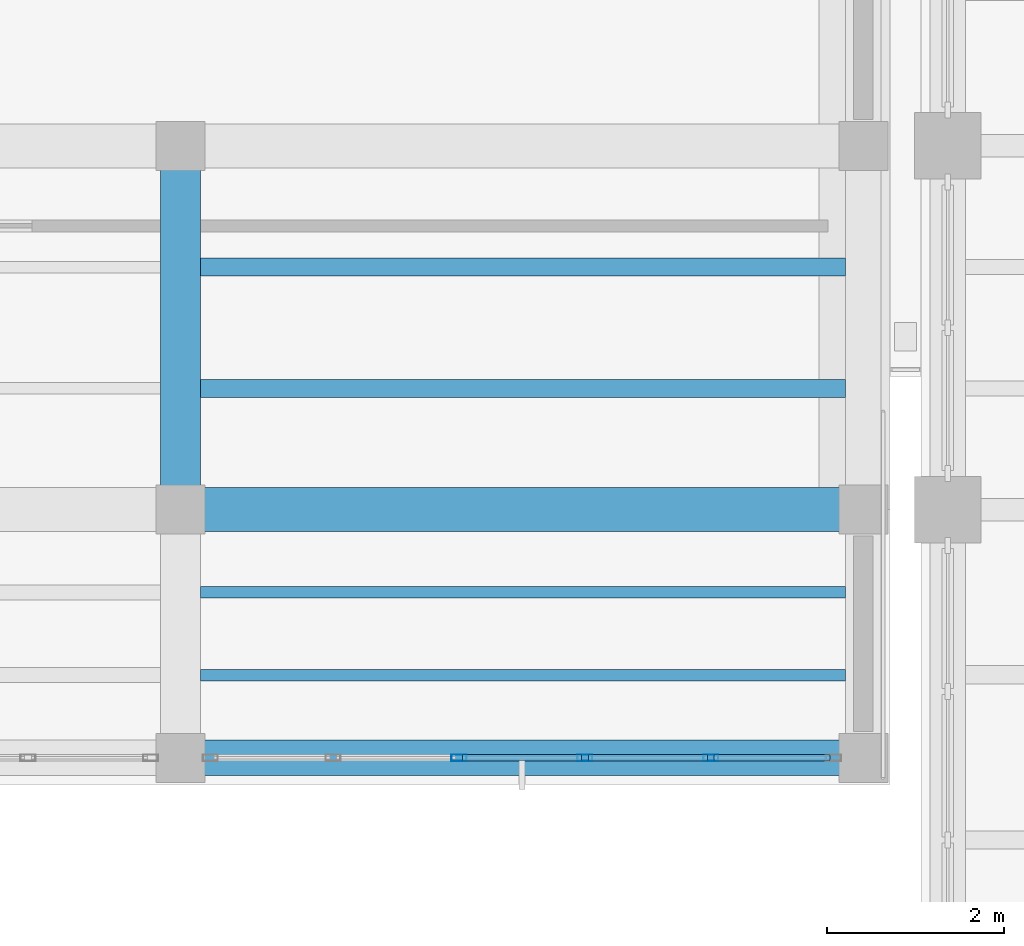
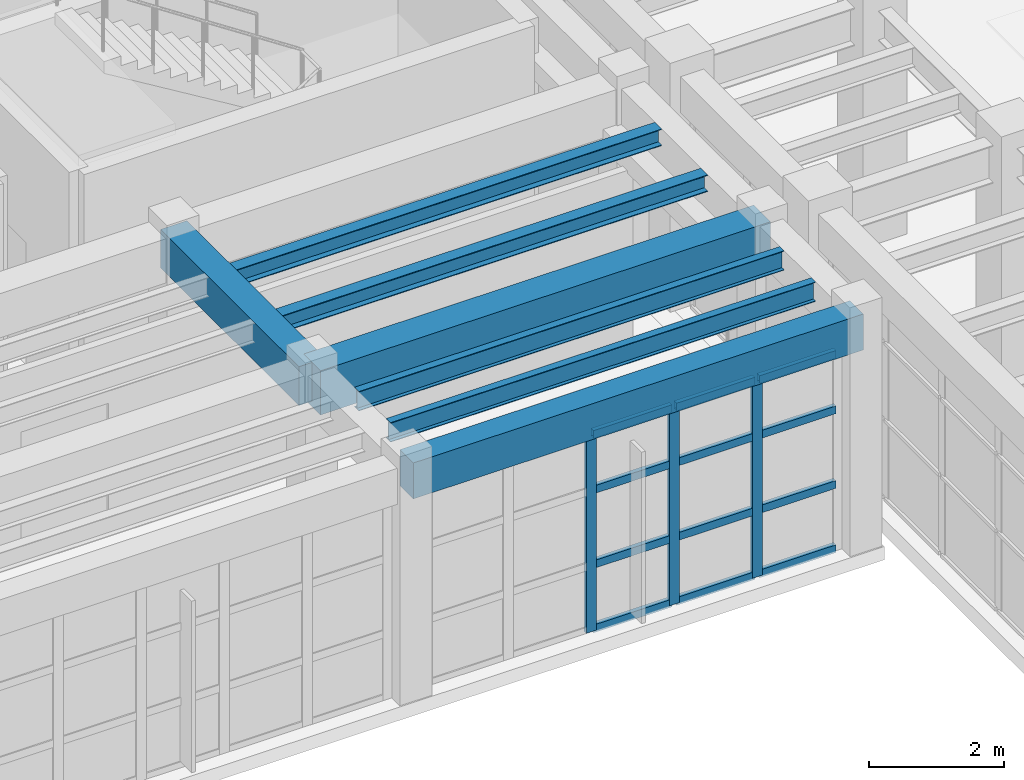
# One storey, part 30 of 85: 15 members, 7 beams, 1 element without a shape of its own.
"""IFC4 building model written with IfcOpenShell, lengths in metres."""

from ifc_helpers import new_model, si_unit, direction, frame, origin, origin_2d, place, context, subcontext, project, spatial, rectangle, hollow_rectangle, i_section, extrude, material, layer, layer_set, material_profile, profile_set, type_object, element, aggregate, save


model = new_model("IFC4")

# Units and contexts
model_context = context("Model", 3, precision=1e-05, world=origin(), true_north=direction((0.0, 1.0)))
body_context = subcontext(model_context, "Body", "Model", "MODEL_VIEW")
ifc_project = project(units=[si_unit("LENGTHUNIT", "METRE"), si_unit("AREAUNIT", "SQUARE_METRE"), si_unit("VOLUMEUNIT", "CUBIC_METRE"), si_unit("PLANEANGLEUNIT", "RADIAN"), si_unit("MASSUNIT", "GRAM", prefix="KILO")], contexts=[model_context])

# Site, building, storey
site_placement = place(None, origin())
site = spatial("IfcSite", under=ifc_project, at=site_placement, CompositionType="ELEMENT")
building_placement = place(site_placement, origin())
building = spatial("IfcBuilding", under=site, at=building_placement, Name="Candilejo Ridge Gondola Terminal", CompositionType="ELEMENT")
storey_placement = place(building_placement, frame((0.0, 0.0, 4.5)))
storey = spatial("IfcBuildingStorey", under=building, at=storey_placement, Name="L01", CompositionType="ELEMENT", Elevation=4.5)

# Curtain wall, members
ifc_material_1 = material(Name="Anodised aluminium AA 6063-T6", Category="aluminium")
ifc_layer = layer(ifc_material_1, 0.169921875)
ifc_layer_set = layer_set([ifc_layer], Name="ARC-CW-CONCOURSE-3600-710X359")
curtain_wall_type = type_object("IfcCurtainWallType", Name="ARC-CW-CONCOURSE-3600-710X359", PredefinedType="NOTDEFINED", material=ifc_layer_set)
curtain_wall_placement = place(storey_placement, origin())
curtain_wall = element("IfcCurtainWall", 1, at=curtain_wall_placement, inside=storey, type_object=curtain_wall_type, Name="Curtain wall V3 L01-081", PredefinedType="NOTDEFINED")
ifc_material_2 = material(Name="Anodised aluminium AA 6063-T6", Category="aluminium")
ifc_material_profile_1 = material_profile(ifc_material_2, hollow_rectangle(XDim=0.074951171875, YDim=0.169921875, WallThickness=0.00390625, at=origin_2d()))
ifc_profile_set_1 = profile_set([ifc_material_profile_1], Name="Anodised aluminium AA 6063-T6")
member_type_1 = type_object("IfcMemberType", Name="ARC-CW-MULLION", PredefinedType="MULLION", material=ifc_profile_set_1)
member_1_placement = place(storey_placement, frame((128.389892578125, 22.89990234375, 0.0), z_axis=(0.0, 0.0, 1.0), x_axis=(0.0, 1.0, 0.0)))
member_1 = element("IfcMember", 2, at=member_1_placement, type_object=member_type_1, Name="CW-71X35 mullion 3", PredefinedType="MULLION", context=body_context, shape_type="SweptSolid", body=[
    extrude(hollow_rectangle(XDim=0.074951171875, YDim=0.169921875, WallThickness=0.00390625, at=origin_2d()), origin(), (0.0, 0.0, 1.0), 3.590087890625),
])
member_2_placement = place(storey_placement, frame((129.81005859375, 22.89990234375, 0.0), z_axis=(0.0, 0.0, 1.0), x_axis=(0.0, 1.0, 0.0)))
member_2 = element("IfcMember", 3, at=member_2_placement, type_object=member_type_1, Name="CW-71X35 mullion 4", PredefinedType="MULLION", context=body_context, shape_type="SweptSolid", body=[
    extrude(hollow_rectangle(XDim=0.074951171875, YDim=0.169921875, WallThickness=0.00390625, at=origin_2d()), origin(), (0.0, 0.0, 1.0), 3.590087890625),
])
member_3_placement = place(storey_placement, frame((131.22998046875, 22.89990234375, 0.0), z_axis=(0.0, 0.0, 1.0), x_axis=(0.0, 1.0, 0.0)))
member_3 = element("IfcMember", 4, at=member_3_placement, type_object=member_type_1, Name="CW-71X35 mullion 5", PredefinedType="MULLION", context=body_context, shape_type="SweptSolid", body=[
    extrude(hollow_rectangle(XDim=0.074951171875, YDim=0.169921875, WallThickness=0.00390625, at=origin_2d()), origin(), (0.0, 0.0, 1.0), 3.590087890625),
])
ifc_material_3 = material(Name="Anodised aluminium AA 6063-T6", Category="aluminium")
ifc_material_profile_2 = material_profile(ifc_material_3, hollow_rectangle(XDim=0.074951171875, YDim=0.139892578125, WallThickness=0.00390625, at=origin_2d()))
ifc_profile_set_2 = profile_set([ifc_material_profile_2], Name="Anodised aluminium AA 6063-T6")
member_type_2 = type_object("IfcMemberType", Name="ARC-CW-TRANSOM", PredefinedType="USERDEFINED", material=ifc_profile_set_2)
member_4_placement = place(storey_placement, frame((128.427490234375, 22.89990234375, 0.03759765625), z_axis=(1.0, 0.0, 0.0), x_axis=(0.0, 1.0, 0.0)))
member_4 = element("IfcMember", 5, at=member_4_placement, type_object=member_type_2, Name="CW-71X35 transom 3.1", ObjectType="TRANSOM", PredefinedType="USERDEFINED", context=body_context, shape_type="SweptSolid", body=[
    extrude(hollow_rectangle(XDim=0.074951171875, YDim=0.139892578125, WallThickness=0.00390625, at=origin_2d()), origin(), (0.0, 0.0, 1.0), 1.344970703125),
])
member_5_placement = place(storey_placement, frame((128.427490234375, 22.89990234375, 1.199951171875), z_axis=(1.0, 0.0, 0.0), x_axis=(0.0, 1.0, 0.0)))
member_5 = element("IfcMember", 6, at=member_5_placement, type_object=member_type_2, Name="CW-71X35 transom 3.2", ObjectType="TRANSOM", PredefinedType="USERDEFINED", context=body_context, shape_type="SweptSolid", body=[
    extrude(hollow_rectangle(XDim=0.074951171875, YDim=0.139892578125, WallThickness=0.00390625, at=origin_2d()), origin(), (0.0, 0.0, 1.0), 1.344970703125),
])
member_6_placement = place(storey_placement, frame((128.427490234375, 22.89990234375, 2.550048828125), z_axis=(1.0, 0.0, 0.0), x_axis=(0.0, 1.0, 0.0)))
member_6 = element("IfcMember", 7, at=member_6_placement, type_object=member_type_2, Name="CW-71X35 transom 3.3", ObjectType="TRANSOM", PredefinedType="USERDEFINED", context=body_context, shape_type="SweptSolid", body=[
    extrude(hollow_rectangle(XDim=0.074951171875, YDim=0.139892578125, WallThickness=0.00390625, at=origin_2d()), origin(), (0.0, 0.0, 1.0), 1.344970703125),
])
member_7_placement = place(storey_placement, frame((128.427490234375, 22.89990234375, 3.552490234375), z_axis=(1.0, 0.0, 0.0), x_axis=(0.0, 1.0, 0.0)))
member_7 = element("IfcMember", 8, at=member_7_placement, type_object=member_type_2, Name="CW-71X35 transom 3.4", ObjectType="TRANSOM", PredefinedType="USERDEFINED", context=body_context, shape_type="SweptSolid", body=[
    extrude(hollow_rectangle(XDim=0.074951171875, YDim=0.139892578125, WallThickness=0.00390625, at=origin_2d()), origin(), (0.0, 0.0, 1.0), 1.344970703125),
])
member_8_placement = place(storey_placement, frame((129.847412109375, 22.89990234375, 0.03759765625), z_axis=(1.0, 0.0, 0.0), x_axis=(0.0, 1.0, 0.0)))
member_8 = element("IfcMember", 9, at=member_8_placement, type_object=member_type_2, Name="CW-71X35 transom 4.1", ObjectType="TRANSOM", PredefinedType="USERDEFINED", context=body_context, shape_type="SweptSolid", body=[
    extrude(hollow_rectangle(XDim=0.074951171875, YDim=0.139892578125, WallThickness=0.00390625, at=origin_2d()), origin(), (0.0, 0.0, 1.0), 1.344970703125),
])
member_9_placement = place(storey_placement, frame((129.847412109375, 22.89990234375, 1.199951171875), z_axis=(1.0, 0.0, 0.0), x_axis=(0.0, 1.0, 0.0)))
member_9 = element("IfcMember", 10, at=member_9_placement, type_object=member_type_2, Name="CW-71X35 transom 4.2", ObjectType="TRANSOM", PredefinedType="USERDEFINED", context=body_context, shape_type="SweptSolid", body=[
    extrude(hollow_rectangle(XDim=0.074951171875, YDim=0.139892578125, WallThickness=0.00390625, at=origin_2d()), origin(), (0.0, 0.0, 1.0), 1.344970703125),
])
member_10_placement = place(storey_placement, frame((129.847412109375, 22.89990234375, 2.550048828125), z_axis=(1.0, 0.0, 0.0), x_axis=(0.0, 1.0, 0.0)))
member_10 = element("IfcMember", 11, at=member_10_placement, type_object=member_type_2, Name="CW-71X35 transom 4.3", ObjectType="TRANSOM", PredefinedType="USERDEFINED", context=body_context, shape_type="SweptSolid", body=[
    extrude(hollow_rectangle(XDim=0.074951171875, YDim=0.139892578125, WallThickness=0.00390625, at=origin_2d()), origin(), (0.0, 0.0, 1.0), 1.344970703125),
])
member_11_placement = place(storey_placement, frame((129.847412109375, 22.89990234375, 3.552490234375), z_axis=(1.0, 0.0, 0.0), x_axis=(0.0, 1.0, 0.0)))
member_11 = element("IfcMember", 12, at=member_11_placement, type_object=member_type_2, Name="CW-71X35 transom 4.4", ObjectType="TRANSOM", PredefinedType="USERDEFINED", context=body_context, shape_type="SweptSolid", body=[
    extrude(hollow_rectangle(XDim=0.074951171875, YDim=0.139892578125, WallThickness=0.00390625, at=origin_2d()), origin(), (0.0, 0.0, 1.0), 1.344970703125),
])
member_12_placement = place(storey_placement, frame((131.267578125, 22.89990234375, 0.03759765625), z_axis=(1.0, 0.0, 0.0), x_axis=(0.0, 1.0, 0.0)))
member_12 = element("IfcMember", 13, at=member_12_placement, type_object=member_type_2, Name="CW-71X35 transom 5.1", ObjectType="TRANSOM", PredefinedType="USERDEFINED", context=body_context, shape_type="SweptSolid", body=[
    extrude(hollow_rectangle(XDim=0.074951171875, YDim=0.139892578125, WallThickness=0.00390625, at=origin_2d()), origin(), (0.0, 0.0, 1.0), 1.307373046875),
])
member_13_placement = place(storey_placement, frame((131.267578125, 22.89990234375, 1.199951171875), z_axis=(1.0, 0.0, 0.0), x_axis=(0.0, 1.0, 0.0)))
member_13 = element("IfcMember", 14, at=member_13_placement, type_object=member_type_2, Name="CW-71X35 transom 5.2", ObjectType="TRANSOM", PredefinedType="USERDEFINED", context=body_context, shape_type="SweptSolid", body=[
    extrude(hollow_rectangle(XDim=0.074951171875, YDim=0.139892578125, WallThickness=0.00390625, at=origin_2d()), origin(), (0.0, 0.0, 1.0), 1.307373046875),
])
member_14_placement = place(storey_placement, frame((131.267578125, 22.89990234375, 2.550048828125), z_axis=(1.0, 0.0, 0.0), x_axis=(0.0, 1.0, 0.0)))
member_14 = element("IfcMember", 15, at=member_14_placement, type_object=member_type_2, Name="CW-71X35 transom 5.3", ObjectType="TRANSOM", PredefinedType="USERDEFINED", context=body_context, shape_type="SweptSolid", body=[
    extrude(hollow_rectangle(XDim=0.074951171875, YDim=0.139892578125, WallThickness=0.00390625, at=origin_2d()), origin(), (0.0, 0.0, 1.0), 1.307373046875),
])
member_15_placement = place(storey_placement, frame((131.267578125, 22.89990234375, 3.552490234375), z_axis=(1.0, 0.0, 0.0), x_axis=(0.0, 1.0, 0.0)))
member_15 = element("IfcMember", 16, at=member_15_placement, type_object=member_type_2, Name="CW-71X35 transom 5.4", ObjectType="TRANSOM", PredefinedType="USERDEFINED", context=body_context, shape_type="SweptSolid", body=[
    extrude(hollow_rectangle(XDim=0.074951171875, YDim=0.139892578125, WallThickness=0.00390625, at=origin_2d()), origin(), (0.0, 0.0, 1.0), 1.307373046875),
])
aggregate(curtain_wall, [member_1, member_2, member_3, member_4, member_5, member_6, member_7, member_8, member_9, member_10, member_11, member_12, member_13, member_14, member_15])

# Beams
ifc_material_4 = material(Name="Concrete f'c 35 MPa (C35/45)", Category="concrete")
ifc_material_profile_3 = material_profile(ifc_material_4, rectangle(XDim=0.449951171875, YDim=0.699951171875, at=origin_2d()))
ifc_profile_set_3 = profile_set([ifc_material_profile_3], Name="Concrete f'c 35 MPa (C35/45)")
beam_type_1 = type_object("IfcBeamType", Name="STR-BM-RC450X700", PredefinedType="BEAM", material=ifc_profile_set_3)
beam_1_placement = place(storey_placement, frame((125.25, 25.699951171875, 3.89990234375), z_axis=(0.0, 1.0, 0.0), x_axis=(-1.0, 0.0, 0.0)))
element("IfcBeam", 17, at=beam_1_placement, inside=storey, type_object=beam_type_1, Name="Beam Y V3 L01 Y05-Y06@X19", PredefinedType="BEAM", context=body_context, shape_type="SweptSolid", body=[
    extrude(rectangle(XDim=0.449951171875, YDim=0.699951171875, at=origin_2d()), origin(), (0.0, 0.0, 1.0), 4.10009765625),
])
ifc_material_5 = material(Name="Concrete f'c 35 MPa (C35/45)", Category="concrete")
ifc_material_profile_4 = material_profile(ifc_material_5, rectangle(XDim=0.5, YDim=0.800048828125, at=origin_2d()))
ifc_profile_set_4 = profile_set([ifc_material_profile_4], Name="Concrete f'c 35 MPa (C35/45)")
beam_type_2 = type_object("IfcBeamType", Name="STR-BM-RC500X800", PredefinedType="BEAM", material=ifc_profile_set_4)
beam_2_placement = place(storey_placement, frame((125.25, 25.699951171875, 3.85009765625), z_axis=(1.0, 0.0, 0.0), x_axis=(0.0, 1.0, 0.0)))
element("IfcBeam", 18, at=beam_2_placement, inside=storey, type_object=beam_type_2, Name="Beam X V3 L01 X19-X20@Y05", PredefinedType="BEAM", context=body_context, shape_type="SweptSolid", body=[
    extrude(rectangle(XDim=0.5, YDim=0.800048828125, at=origin_2d()), origin(), (0.0, 0.0, 1.0), 7.699951171875),
])
ifc_material_6 = material(Name="Steel ASTM A992 Grade 50", Category="steel")
ifc_material_profile_5 = material_profile(ifc_material_6, i_section(OverallWidth=0.202880859375, OverallDepth=0.302978515625, WebThickness=0.007568359375, FlangeThickness=0.01318359375, at=origin_2d()))
ifc_profile_set_5 = profile_set([ifc_material_profile_5], Name="Steel ASTM A992 Grade 50")
beam_type_3 = type_object("IfcBeamType", Name="STR-JST-W310X60", PredefinedType="JOIST", material=ifc_profile_set_5)
for number, where, z_axis, x_axis, name in (
    (19, (125.47509765625, 27.066650390625, 4.098388671875), (1.0, 0.0, 0.0), (0.0, 1.0, 0.0), "Composite joist V3 L01-0507"),
    (20, (125.47509765625, 28.433349609375, 4.098388671875), (1.0, 0.0, 0.0), (0.0, 1.0, 0.0), "Composite joist V3 L01-0508"),
):
    element("IfcBeam", number, at=place(storey_placement, frame(where, z_axis=z_axis, x_axis=x_axis)), inside=storey, type_object=beam_type_3, Name=name, PredefinedType="JOIST", context=body_context, shape_type="SweptSolid", body=[
        extrude(i_section(OverallWidth=0.202880859375, OverallDepth=0.302978515625, WebThickness=0.007568359375, FlangeThickness=0.01318359375, at=origin_2d()), origin(), (0.0, 0.0, 1.0), 7.27490234375),
    ])
ifc_material_7 = material(Name="Steel ASTM A992 Grade 50", Category="steel")
ifc_material_profile_6 = material_profile(ifc_material_7, i_section(OverallWidth=0.1279296875, OverallDepth=0.35302734375, WebThickness=0.006591796875, FlangeThickness=0.0107421875, at=origin_2d()))
ifc_profile_set_6 = profile_set([ifc_material_profile_6], Name="Steel ASTM A992 Grade 50")
beam_type_4 = type_object("IfcBeamType", Name="STR-JST-W360X39", PredefinedType="JOIST", material=ifc_profile_set_6)
for number, where, z_axis, x_axis, name in (
    (21, (125.47509765625, 23.833251953125, 4.073486328125), (1.0, 0.0, 0.0), (0.0, 1.0, 0.0), "Composite joist V3 L01-0505"),
    (22, (125.47509765625, 24.7666015625, 4.073486328125), (1.0, 0.0, 0.0), (0.0, 1.0, 0.0), "Composite joist V3 L01-0506"),
):
    element("IfcBeam", number, at=place(storey_placement, frame(where, z_axis=z_axis, x_axis=x_axis)), inside=storey, type_object=beam_type_4, Name=name, PredefinedType="JOIST", context=body_context, shape_type="SweptSolid", body=[
        extrude(i_section(OverallWidth=0.1279296875, OverallDepth=0.35302734375, WebThickness=0.006591796875, FlangeThickness=0.0107421875, at=origin_2d()), origin(), (0.0, 0.0, 1.0), 7.27490234375),
    ])
ifc_material_8 = material(Name="Concrete f'c 35 MPa (C35/45)", Category="concrete")
ifc_material_profile_7 = material_profile(ifc_material_8, rectangle(XDim=0.39990234375, YDim=0.64990234375, at=origin_2d()))
ifc_profile_set_7 = profile_set([ifc_material_profile_7], Name="Concrete f'c 35 MPa (C35/45)")
beam_type_5 = type_object("IfcBeamType", Name="STR-SPN-RC400X650", PredefinedType="SPANDREL", material=ifc_profile_set_7)
beam_3_placement = place(storey_placement, frame((125.25, 22.89990234375, 3.925048828125), z_axis=(1.0, 0.0, 0.0), x_axis=(0.0, 1.0, 0.0)))
element("IfcBeam", 23, at=beam_3_placement, inside=storey, type_object=beam_type_5, Name="Beam X V3 L01 X19-X20@Y04", PredefinedType="SPANDREL", context=body_context, shape_type="SweptSolid", body=[
    extrude(rectangle(XDim=0.39990234375, YDim=0.64990234375, at=origin_2d()), origin(), (0.0, 0.0, 1.0), 7.699951171875),
])

save(model, "model.ifc")
